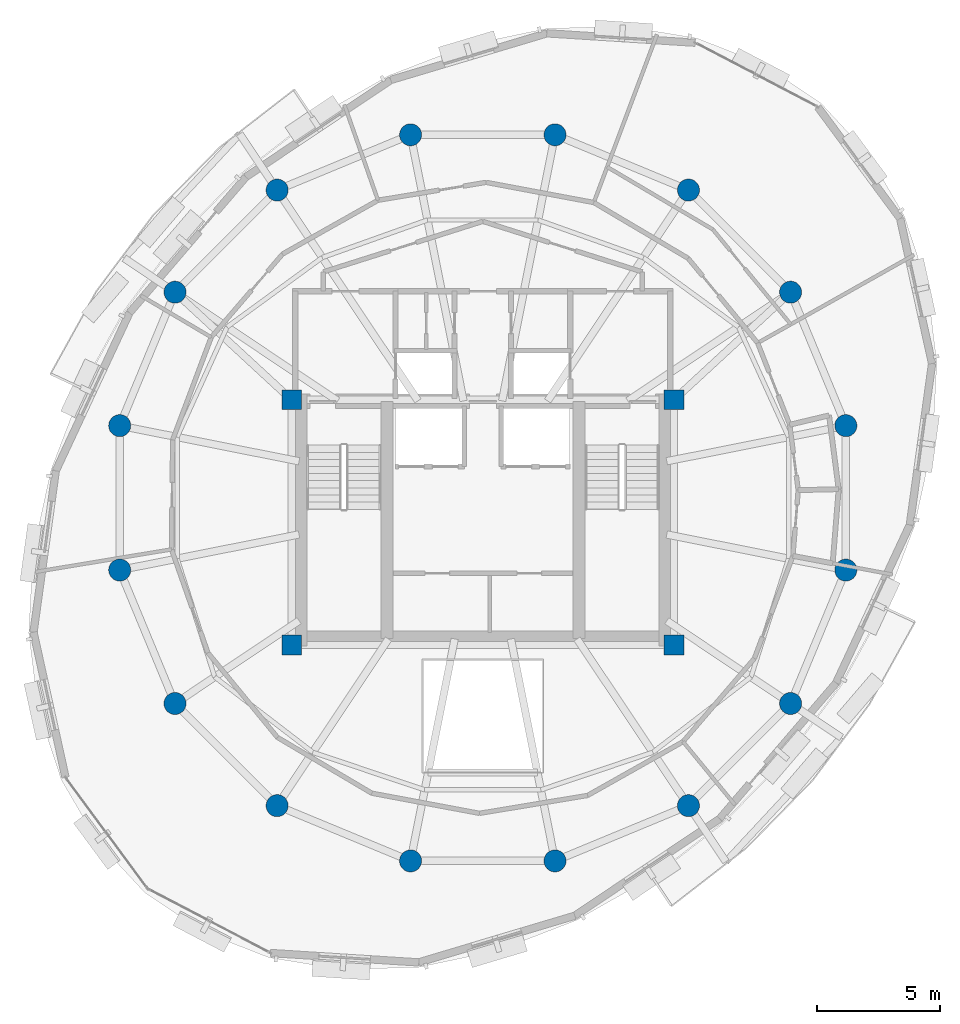
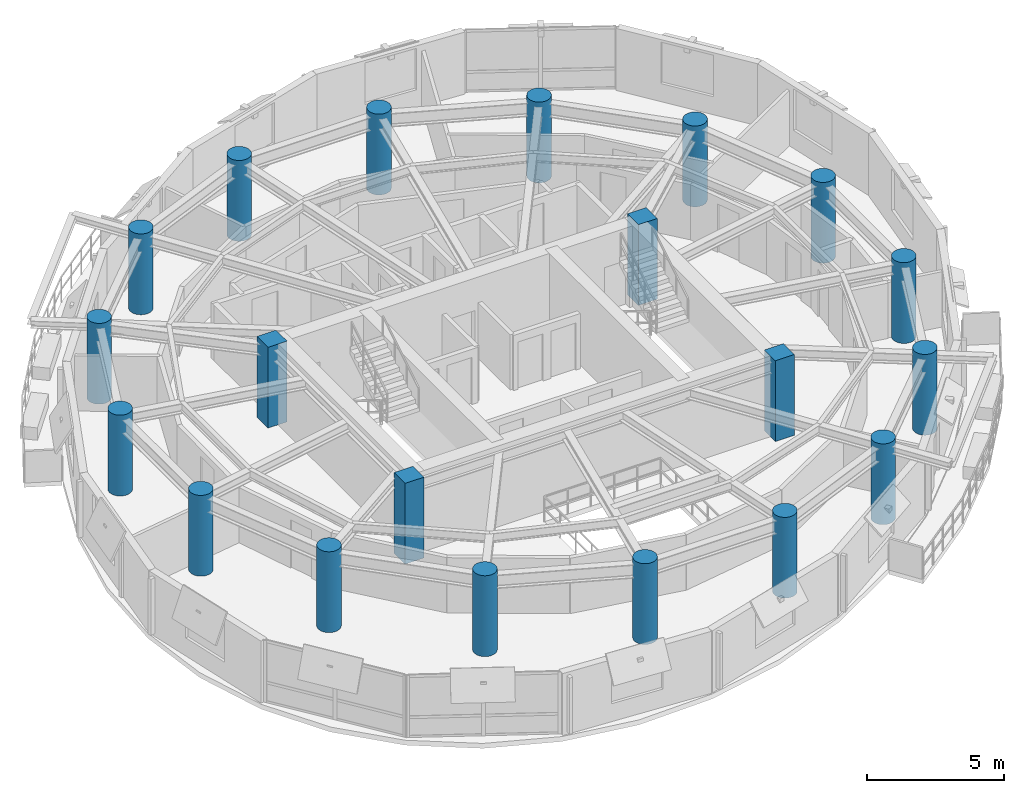
# One storey, part 1 of 11: 20 columns.
"""IFC4 building model written with IfcOpenShell, lengths in metres."""

from ifc_helpers import new_model, si_unit, direction, frame, origin, origin_2d, place, context, subcontext, project, spatial, rectangle, circle, extrude, material, material_profile, profile_set, type_object, element, save


model = new_model("IFC4")

# Units and contexts
model_context = context("Model", 3, precision=1e-05, world=origin(), true_north=direction((0.0, 1.0)))
body_context = subcontext(model_context, "Body", "Model", "MODEL_VIEW")
ifc_project = project(units=[si_unit("LENGTHUNIT", "METRE"), si_unit("AREAUNIT", "SQUARE_METRE"), si_unit("VOLUMEUNIT", "CUBIC_METRE"), si_unit("PLANEANGLEUNIT", "RADIAN"), si_unit("MASSUNIT", "GRAM", prefix="KILO"), si_unit("THERMODYNAMICTEMPERATUREUNIT", "KELVIN"), si_unit("POWERUNIT", "WATT")], contexts=[model_context])

# Site, building, storey
site_placement = place(None, origin())
site = spatial("IfcSite", under=ifc_project, at=site_placement, CompositionType="ELEMENT")
building_placement = place(site_placement, origin())
building = spatial("IfcBuilding", under=site, at=building_placement, Name="Ocrelia Relay Tower", CompositionType="ELEMENT")
storey_placement = place(building_placement, frame((0.0, 0.0, 237.60009765625)))
storey = spatial("IfcBuildingStorey", under=building, at=storey_placement, Name="L58", CompositionType="ELEMENT", Elevation=237.60009765625)

# Columns
ifc_material_1 = material(Name="Concrete C50/60", Category="concrete")
ifc_material_profile_1 = material_profile(ifc_material_1, circle(Radius=0.449951171875, at=origin_2d()), Name="RC-CIR-900")
ifc_profile_set_1 = profile_set([ifc_material_profile_1], Name="Concrete C50/60")
column_type_1 = type_object("IfcColumnType", Name="COL-CT-900", PredefinedType="COLUMN", material=ifc_profile_set_1)
for number, where, z_axis, x_axis, name in (
    (1, (48.809814453125, 28.94580078125, 0.0), (0.0, 0.0, 1.0), (1.0, 0.0, 0.0), "L58 Perimeter Ring Column C01"),
    (2, (46.55517578125, 34.38916015625, 0.0), (0.0, 0.0, 1.0), (1.0, 0.0, 0.0), "L58 Perimeter Ring Column C02"),
    (3, (42.38916015625, 38.55517578125, 0.0), (0.0, 0.0, 1.0), (1.0, 0.0, 0.0), "L58 Perimeter Ring Column C03"),
    (4, (36.94580078125, 40.809814453125, 0.0), (0.0, 0.0, 1.0), (1.0, 0.0, 0.0), "L58 Perimeter Ring Column C04"),
    (5, (31.05419921875, 40.809814453125, 0.0), (0.0, 0.0, 1.0), (1.0, 0.0, 0.0), "L58 Perimeter Ring Column C05"),
    (6, (25.61083984375, 38.55517578125, 0.0), (0.0, 0.0, 1.0), (1.0, 0.0, 0.0), "L58 Perimeter Ring Column C06"),
    (7, (21.44482421875, 34.38916015625, 0.0), (0.0, 0.0, 1.0), (1.0, 0.0, 0.0), "L58 Perimeter Ring Column C07"),
    (8, (19.190185546875, 28.94580078125, 0.0), (0.0, 0.0, 1.0), (1.0, 0.0, 0.0), "L58 Perimeter Ring Column C08"),
    (9, (19.190185546875, 23.05419921875, 0.0), (0.0, 0.0, 1.0), (1.0, 0.0, 0.0), "L58 Perimeter Ring Column C09"),
    (10, (21.44482421875, 17.61083984375, 0.0), (0.0, 0.0, 1.0), (1.0, 0.0, 0.0), "L58 Perimeter Ring Column C10"),
    (11, (25.61083984375, 13.44482421875, 0.0), (0.0, 0.0, 1.0), (1.0, 0.0, 0.0), "L58 Perimeter Ring Column C11"),
    (12, (31.05419921875, 11.190185546875, 0.0), (0.0, 0.0, 1.0), (1.0, 0.0, 0.0), "L58 Perimeter Ring Column C12"),
    (13, (36.94580078125, 11.190185546875, 0.0), (0.0, 0.0, 1.0), (1.0, 0.0, 0.0), "L58 Perimeter Ring Column C13"),
    (14, (42.38916015625, 13.44482421875, 0.0), (0.0, 0.0, 1.0), (1.0, 0.0, 0.0), "L58 Perimeter Ring Column C14"),
    (15, (46.55517578125, 17.61083984375, 0.0), (0.0, 0.0, 1.0), (1.0, 0.0, 0.0), "L58 Perimeter Ring Column C15"),
    (16, (48.809814453125, 23.05419921875, 0.0), (0.0, 0.0, 1.0), (1.0, 0.0, 0.0), "L58 Perimeter Ring Column C16"),
):
    element("IfcColumn", number, at=place(storey_placement, frame(where, z_axis=z_axis, x_axis=x_axis)), inside=storey, type_object=column_type_1, Name=name, PredefinedType="COLUMN", context=body_context, shape_type="SweptSolid", body=[
        extrude(circle(Radius=0.449951171875, at=origin_2d()), origin(), (0.0, 0.0, 1.0), 3.599853515625),
    ])
ifc_material_2 = material(Name="Concrete C60/75", Category="concrete")
ifc_material_profile_2 = material_profile(ifc_material_2, rectangle(XDim=0.800048828125, YDim=0.800048828125, at=origin_2d()), Name="RC-COL-800x800")
ifc_profile_set_2 = profile_set([ifc_material_profile_2], Name="Concrete C60/75")
column_type_2 = type_object("IfcColumnType", Name="COL-PILASTER-800", PredefinedType="PILASTER", material=ifc_profile_set_2)
for number, where, z_axis, x_axis, name in (
    (17, (26.199951171875, 20.0, 0.0), (0.0, 0.0, 1.0), (1.0, 0.0, 0.0), "L58 Core Corner Pilaster SW"),
    (18, (41.800048828125, 20.0, 0.0), (0.0, 0.0, 1.0), (1.0, 0.0, 0.0), "L58 Core Corner Pilaster SE"),
    (19, (26.199951171875, 30.0, 0.0), (0.0, 0.0, 1.0), (1.0, 0.0, 0.0), "L58 Core Corner Pilaster NW"),
    (20, (41.800048828125, 30.0, 0.0), (0.0, 0.0, 1.0), (1.0, 0.0, 0.0), "L58 Core Corner Pilaster NE"),
):
    element("IfcColumn", number, at=place(storey_placement, frame(where, z_axis=z_axis, x_axis=x_axis)), inside=storey, type_object=column_type_2, Name=name, PredefinedType="PILASTER", context=body_context, shape_type="SweptSolid", body=[
        extrude(rectangle(XDim=0.800048828125, YDim=0.800048828125, at=origin_2d()), origin(), (0.0, 0.0, 1.0), 3.599853515625),
    ])

save(model, "model.ifc")
